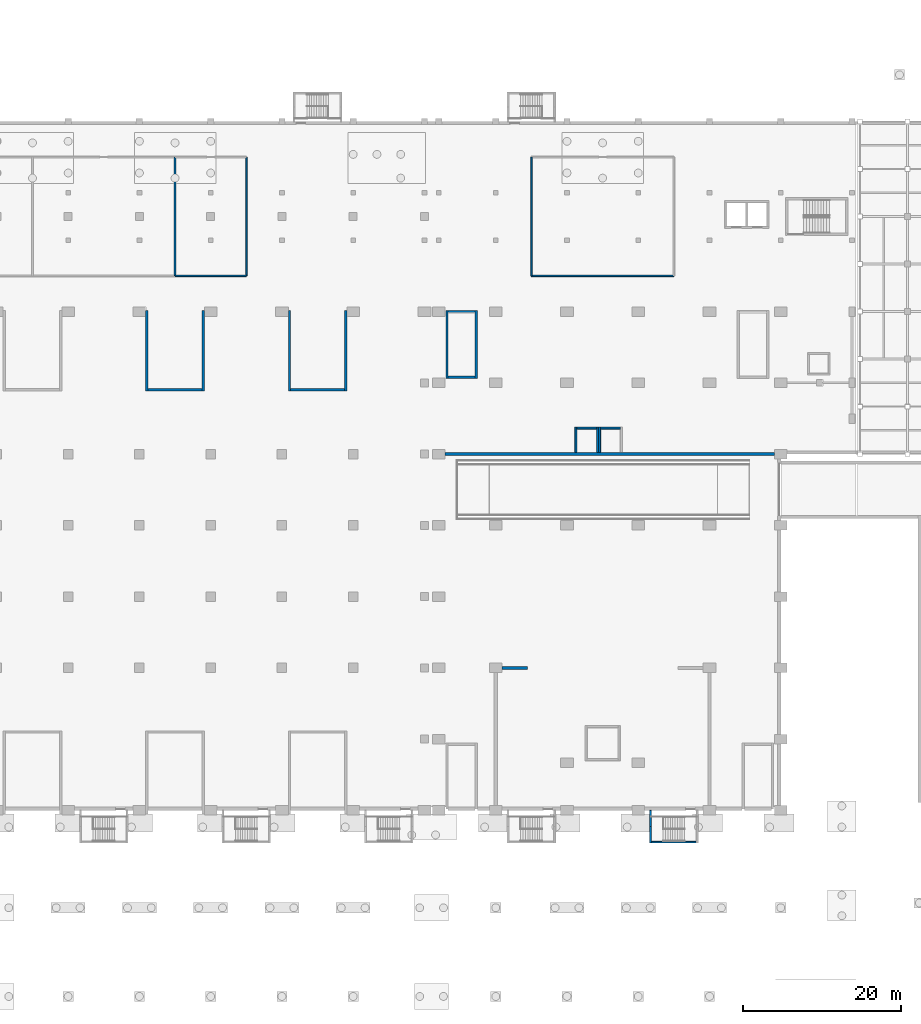
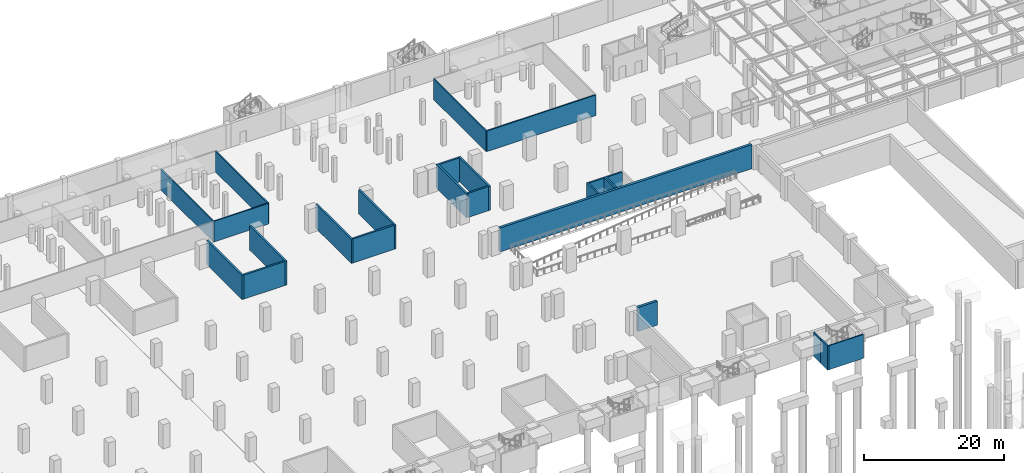
# One storey, part 14 of 27: 25 walls.
"""IFC4 building model written with IfcOpenShell, lengths in metres."""

import ifcopenshell
import ifcopenshell.guid

model = None  # the IFC model being written
_history = None  # IfcOwnerHistory: only IFC2X3 demands one
_inside = {}  # id of a spatial element -> (the spatial element, [elements in it])
_under = {}  # id of a project, library or spatial element -> (it, [spatial elements below it])
_declared = {}  # id of a project -> (the project, [libraries it declares])
_typed = {}  # id of a type object -> (the type object, [elements of that type])
_made_of = {}  # id of a material, layer set ... -> (it, [elements and type objects made of it])


def new_model(schema):
    """Start an empty IFC model of exactly this schema.

    Asked for "IFC4X3", IfcOpenShell would pick the latest addendum, in which some entities
    have other attributes; the version numbers below select the first issue.
    IFC2X3 requires an IfcOwnerHistory on every rooted entity: one is made here for all.
    """
    global model, _history
    if schema == "IFC4X3":
        model = ifcopenshell.file(schema_version=(4, 3, 0, 0))
    else:
        model = ifcopenshell.file(schema=schema)
    _inside.clear()
    _under.clear()
    _declared.clear()
    _typed.clear()
    _made_of.clear()
    _history = None
    if model.schema == "IFC2X3":
        org = make("IfcOrganization", Name="unknown")
        user = make(
            "IfcPersonAndOrganization",
            ThePerson=make("IfcPerson", FamilyName="unknown"),
            TheOrganization=org,
        )
        app = make(
            "IfcApplication",
            ApplicationDeveloper=org,
            Version="unknown",
            ApplicationFullName="unknown",
            ApplicationIdentifier="unknown",
        )
        _history = make(
            "IfcOwnerHistory",
            OwningUser=user,
            OwningApplication=app,
            ChangeAction="ADDED",
            CreationDate=0,
        )
    return model


def make(cls, **values):
    """One entity of the class cls with the attributes given. An attribute that is None is left unset."""
    return model.create_entity(
        cls, **{name: value for name, value in values.items() if value is not None}
    )


def rooted(cls, **values):
    """An entity with a GlobalId (a new one), such as an element, a storey or a relation."""
    return make(cls, GlobalId=ifcopenshell.guid.new(), OwnerHistory=_history, **values)


def si_unit(unit_type, name, prefix=None):
    """IfcSIUnit, for example si_unit("LENGTHUNIT", "METRE", prefix="MILLI")."""
    return make("IfcSIUnit", UnitType=unit_type, Prefix=prefix, Name=name)


def assignment(units):
    """IfcUnitAssignment: the units of a project."""
    return None if units is None else make("IfcUnitAssignment", Units=units)


def point(xyz):
    """IfcCartesianPoint."""
    return None if xyz is None else make("IfcCartesianPoint", Coordinates=xyz)


def direction(xyz):
    """IfcDirection."""
    return None if xyz is None else make("IfcDirection", DirectionRatios=xyz)


def frame(location, z_axis=None, x_axis=None):
    """IfcAxis2Placement3D, a coordinate frame: its origin and axes. An axis left out is left unset."""
    return make(
        "IfcAxis2Placement3D",
        Location=point(location),
        Axis=direction(z_axis),
        RefDirection=direction(x_axis),
    )


def frame_2d(location, x_axis=None):
    """IfcAxis2Placement2D, a coordinate frame in the plane: its origin and x axis."""
    return make(
        "IfcAxis2Placement2D", Location=point(location), RefDirection=direction(x_axis)
    )


def origin():
    """The frame at (0, 0, 0) with its axes left unset."""
    return frame((0.0, 0.0, 0.0))


def place(relative_to, where):
    """IfcLocalPlacement: puts the frame where relative to a parent placement (None: the world)."""
    return make(
        "IfcLocalPlacement", PlacementRelTo=relative_to, RelativePlacement=where
    )


def context(
    kind, dimensions, precision=None, world=None, true_north=None, identifier=None
):
    """IfcGeometricRepresentationContext, for example the 3D "Model" context."""
    return make(
        "IfcGeometricRepresentationContext",
        ContextIdentifier=identifier,
        ContextType=kind,
        CoordinateSpaceDimension=dimensions,
        Precision=precision,
        WorldCoordinateSystem=world,
        TrueNorth=true_north,
    )


def subcontext(parent, identifier, kind, view, scale=None):
    """IfcGeometricRepresentationSubContext, for example "Body" below "Model"."""
    return make(
        "IfcGeometricRepresentationSubContext",
        ContextIdentifier=identifier,
        ContextType=kind,
        ParentContext=parent,
        TargetScale=scale,
        TargetView=view,
    )


def project(units=None, contexts=None):
    """IfcProject with its units and contexts."""
    return rooted(
        "IfcProject",
        Name="project",
        RepresentationContexts=contexts,
        UnitsInContext=assignment(units),
    )


def spatial(cls, under=None, at=None, **own):
    """A site, building, storey or space (cls), placed at a placement, below another one or the project."""
    s = rooted(cls, ObjectPlacement=at, **own)
    if under is not None:
        _under.setdefault(under.id(), (under, []))[1].append(s)
    return s


def profile(cls, at=None, kind="AREA", **sizes):
    """A parametric profile (cls). Its sizes go by their IFC names, for example OverallWidth=200.0."""
    return make(cls, ProfileType=kind, Position=at, **sizes)


def rectangle(**sizes):
    """IfcRectangleProfileDef."""
    return profile("IfcRectangleProfileDef", **sizes)


def extrude(swept, where, along, depth):
    """IfcExtrudedAreaSolid: the profile swept, set in the frame where, extruded along a direction by depth."""
    return make(
        "IfcExtrudedAreaSolid",
        SweptArea=swept,
        Position=where,
        ExtrudedDirection=direction(along),
        Depth=depth,
    )


def shape(context_of_items, identifier, shape_type, items):
    """IfcShapeRepresentation: the items that make up one representation, for example the "Body"."""
    return make(
        "IfcShapeRepresentation",
        ContextOfItems=context_of_items,
        RepresentationIdentifier=identifier,
        RepresentationType=shape_type,
        Items=items,
    )


def material(Name=None, Category=None):
    """IfcMaterial."""
    return make("IfcMaterial", Name=Name, Category=Category)


def layer(
    of_material, thickness, ventilated=None, Name=None, Category=None, Priority=None
):
    """IfcMaterialLayer: one layer of a wall or slab, of a material (None: an air gap)."""
    return make(
        "IfcMaterialLayer",
        Material=of_material,
        LayerThickness=thickness,
        IsVentilated=ventilated,
        Name=Name,
        Category=Category,
        Priority=Priority,
    )


def layer_set(layers, Name=None):
    """IfcMaterialLayerSet."""
    return make("IfcMaterialLayerSet", MaterialLayers=layers, LayerSetName=Name)


def made_of(thing, what):
    """Note that an element or type object is made of a material, layer set ...; save() writes the relation."""
    if what is not None:
        _made_of.setdefault(what.id(), (what, []))[1].append(thing)
    return thing


def type_object(cls, material=None, **own):
    """A type object (cls), such as IfcWallType, which elements share."""
    return made_of(rooted(cls, **own), material)


def element(
    cls,
    number,
    at=None,
    inside=None,
    cuts=None,
    type_object=None,
    material=None,
    context=None,
    identifier="Body",
    shape_type=None,
    held_by="IfcProductDefinitionShape",
    body=None,
    shapes=None,
    **own,
):
    """One element of the class cls, such as IfcWall. Its Tag is "e" and its number.

    at: its placement. inside: the storey or other place that contains it. cuts: it is an
    opening in that element (IfcRelVoidsElement). A single representation is given by context,
    identifier, shape_type and body (its items); several are given by shapes. held_by: the class
    of the entity that holds the representations. save() writes the other relations.
    """
    e = rooted(cls, Tag="e%d" % number, ObjectPlacement=at, **own)
    if body is not None:
        shapes = [shape(context, identifier, shape_type, body)]
    if shapes is not None:
        e.Representation = make(held_by, Representations=shapes)
    if inside is not None:
        _inside.setdefault(inside.id(), (inside, []))[1].append(e)
    if cuts is not None:
        rooted(
            "IfcRelVoidsElement", RelatingBuildingElement=cuts, RelatedOpeningElement=e
        )
    if type_object is not None:
        _typed.setdefault(type_object.id(), (type_object, []))[1].append(e)
    return made_of(e, material)


def aggregate(whole, parts):
    """IfcRelAggregates: a whole, such as a stair, and the parts it consists of."""
    return rooted("IfcRelAggregates", RelatingObject=whole, RelatedObjects=parts)


def save(model, path):
    """Write the relations noted so far, then the file.

    IfcRelAggregates (storeys below a building ...), IfcRelContainedInSpatialStructure (elements
    in a storey), IfcRelDefinesByType, IfcRelAssociatesMaterial and IfcRelDeclares: one each for
    every whole, place, type object, material and project.
    """
    for whole, parts in _under.values():
        aggregate(whole, parts)
    for where, things in _inside.values():
        rooted(
            "IfcRelContainedInSpatialStructure",
            RelatedElements=things,
            RelatingStructure=where,
        )
    for kind, things in _typed.values():
        rooted("IfcRelDefinesByType", RelatedObjects=things, RelatingType=kind)
    for what, things in _made_of.values():
        rooted("IfcRelAssociatesMaterial", RelatedObjects=things, RelatingMaterial=what)
    for by, libraries in _declared.values():
        rooted("IfcRelDeclares", RelatingContext=by, RelatedDefinitions=libraries)
    model.write(path)


model = new_model("IFC4")

# Units and contexts
model_context = context("Model", 3, precision=1e-05, world=origin(), true_north=direction((0.0, 1.0)))
body_context = subcontext(model_context, "Body", "Model", "MODEL_VIEW")
ifc_project = project(units=[si_unit("LENGTHUNIT", "METRE"), si_unit("AREAUNIT", "SQUARE_METRE"), si_unit("VOLUMEUNIT", "CUBIC_METRE"), si_unit("PLANEANGLEUNIT", "RADIAN"), si_unit("MASSUNIT", "GRAM", prefix="KILO")], contexts=[model_context])

# Site, building, storey
site_placement = place(None, origin())
site = spatial("IfcSite", under=ifc_project, at=site_placement, CompositionType="ELEMENT")
building_placement = place(site_placement, origin())
building = spatial("IfcBuilding", under=site, at=building_placement, Name="Aravalli Gate Trade Fair Centre", CompositionType="ELEMENT")
storey_placement = place(building_placement, frame((0.0, 0.0, -4.199951171875)))
storey = spatial("IfcBuildingStorey", under=building, at=storey_placement, Name="B1", CompositionType="ELEMENT", Elevation=-4.199951171875)

# Walls
ifc_material_1 = material(Name="Concrete M30", Category="concrete")
ifc_layer_1 = layer(ifc_material_1, 0.199951171875)
ifc_layer_set_1 = layer_set([ifc_layer_1], Name="Concrete M30")
wall_type_1 = type_object("IfcWallType", Name="Basement plant room wall 200", PredefinedType="SOLIDWALL", material=ifc_layer_set_1)
wall_1_placement = place(storey_placement, frame((73.5, 113.5, 0.0), z_axis=(0.0, 0.0, 1.0), x_axis=(1.0, 0.0, 0.0)))
element("IfcWall", 1, at=wall_1_placement, inside=storey, type_object=wall_type_1, Name="Basement plant room wall B1 03.1", PredefinedType="SOLIDWALL", context=body_context, shape_type="SweptSolid", body=[
    extrude(rectangle(XDim=9.0, YDim=0.199951171875, at=frame_2d((4.5, 0.0))), origin(), (0.0, 0.0, 1.0), 3.599853515625),
])
wall_2_placement = place(storey_placement, frame((118.5, 113.5, 0.0), z_axis=(0.0, 0.0, 1.0), x_axis=(1.0, 0.0, 0.0)))
element("IfcWall", 2, at=wall_2_placement, inside=storey, type_object=wall_type_1, Name="Basement plant room wall B1 04.1", PredefinedType="SOLIDWALL", context=body_context, shape_type="SweptSolid", body=[
    extrude(rectangle(XDim=18.0, YDim=0.199951171875, at=frame_2d((9.0, 0.0))), origin(), (0.0, 0.0, 1.0), 3.599853515625),
])
for number, where, z_axis, x_axis, name in (
    (3, (73.5, 113.5, 0.0), (0.0, 0.0, 1.0), (0.0, 1.0, 0.0), "Basement plant room wall B1 11.1"),
    (4, (82.5, 113.5, 0.0), (0.0, 0.0, 1.0), (0.0, 1.0, 0.0), "Basement plant room wall B1 12.1"),
    (5, (118.5, 113.5, 0.0), (0.0, 0.0, 1.0), (0.0, 1.0, 0.0), "Basement plant room wall B1 13.1"),
):
    element("IfcWall", number, at=place(storey_placement, frame(where, z_axis=z_axis, x_axis=x_axis)), inside=storey, type_object=wall_type_1, Name=name, PredefinedType="SOLIDWALL", context=body_context, shape_type="SweptSolid", body=[
        extrude(rectangle(XDim=15.0, YDim=0.199951171875, at=frame_2d((7.5, 0.0))), origin(), (0.0, 0.0, 1.0), 3.599853515625),
    ])
ifc_material_2 = material(Name="Concrete M35", Category="concrete")
ifc_layer_2 = layer(ifc_material_2, 0.199951171875)
ifc_layer_set_2 = layer_set([ifc_layer_2], Name="Concrete M35")
wall_type_2 = type_object("IfcWallType", Name="Basement stair enclosure wall 200", PredefinedType="SOLIDWALL", material=ifc_layer_set_2)
for number, where, z_axis, x_axis, name in (
    (6, (133.550048828125, 46.0, 0.0), (0.0, 0.0, 1.0), (0.0, -1.0, 0.0), "Basement stair S7 enclosure wall L1 B1"),
    (7, (133.550048828125, 43.949951171875, 0.0), (0.0, 0.0, 1.0), (0.0, -1.0, 0.0), "Basement stair S7 enclosure wall L2 B1"),
):
    element("IfcWall", number, at=place(storey_placement, frame(where, z_axis=z_axis, x_axis=x_axis)), inside=storey, type_object=wall_type_2, Name=name, PredefinedType="SOLIDWALL", context=body_context, shape_type="SweptSolid", body=[
        extrude(rectangle(XDim=2.050048828125, YDim=0.199951171875, at=frame_2d((1.02490234375, 0.0))), origin(), (0.0, 0.0, 1.0), 4.199951171875),
    ])
wall_3_placement = place(storey_placement, frame((133.64990234375, 42.0, 0.0), z_axis=(0.0, 0.0, 1.0), x_axis=(1.0, 0.0, 0.0)))
element("IfcWall", 8, at=wall_3_placement, inside=storey, type_object=wall_type_2, Name="Basement stair S7 enclosure wall O B1", PredefinedType="SOLIDWALL", context=body_context, shape_type="SweptSolid", body=[
    extrude(rectangle(XDim=5.7001953125, YDim=0.199951171875, at=frame_2d((2.85009765625, 0.0))), origin(), (0.0, 0.0, 1.0), 4.199951171875),
])
ifc_material_3 = material(Name="Concrete M40", Category="concrete")
ifc_layer_3 = layer(ifc_material_3, 0.25)
ifc_layer_set_3 = layer_set([ifc_layer_3], Name="Concrete M40")
wall_type_3 = type_object("IfcWallType", Name="Congress RC wall 250 shaft", PredefinedType="SHEAR", material=ifc_layer_set_3)
for number, where, z_axis, x_axis, name in (
    (9, (124.125, 91.199951171875, 0.0), (0.0, 0.0, 1.0), (0.0, 1.0, 0.0), "Lift GL1 shaft wall W B1"),
    (10, (126.875, 91.199951171875, 0.0), (0.0, 0.0, 1.0), (0.0, 1.0, 0.0), "Lift GL1 shaft wall E B1"),
):
    element("IfcWall", number, at=place(storey_placement, frame(where, z_axis=z_axis, x_axis=x_axis)), inside=storey, type_object=wall_type_3, Name=name, PredefinedType="SHEAR", context=body_context, shape_type="SweptSolid", body=[
        extrude(rectangle(XDim=3.199951171875, YDim=0.25, at=frame_2d((1.60009765625, 0.0))), origin(), (0.0, 0.0, 1.0), 4.199951171875),
    ])
wall_4_placement = place(storey_placement, frame((124.25, 94.27490234375, 0.0), z_axis=(0.0, 0.0, 1.0), x_axis=(1.0, 0.0, 0.0)))
element("IfcWall", 11, at=wall_4_placement, inside=storey, type_object=wall_type_3, Name="Lift GL1 shaft wall F B1", PredefinedType="SHEAR", context=body_context, shape_type="SweptSolid", body=[
    extrude(rectangle(XDim=2.5, YDim=0.25, at=frame_2d((1.25, 0.0))), origin(), (0.0, 0.0, 1.0), 4.199951171875),
])
wall_5_placement = place(storey_placement, frame((127.125, 91.199951171875, 0.0), z_axis=(0.0, 0.0, 1.0), x_axis=(0.0, 1.0, 0.0)))
element("IfcWall", 12, at=wall_5_placement, inside=storey, type_object=wall_type_3, Name="Lift GL2 shaft wall W B1", PredefinedType="SHEAR", context=body_context, shape_type="SweptSolid", body=[
    extrude(rectangle(XDim=3.199951171875, YDim=0.25, at=frame_2d((1.60009765625, 0.0))), origin(), (0.0, 0.0, 1.0), 4.199951171875),
])
wall_6_placement = place(storey_placement, frame((127.25, 94.27490234375, 0.0), z_axis=(0.0, 0.0, 1.0), x_axis=(1.0, 0.0, 0.0)))
element("IfcWall", 13, at=wall_6_placement, inside=storey, type_object=wall_type_3, Name="Lift GL2 shaft wall F B1", PredefinedType="SHEAR", context=body_context, shape_type="SweptSolid", body=[
    extrude(rectangle(XDim=2.5, YDim=0.25, at=frame_2d((1.25, 0.0))), origin(), (0.0, 0.0, 1.0), 4.199951171875),
])
ifc_layer_4 = layer(ifc_material_3, 0.300048828125)
ifc_layer_set_4 = layer_set([ifc_layer_4], Name="Concrete M40")
wall_type_4 = type_object("IfcWallType", Name="Congress RC wall 300", PredefinedType="SHEAR", material=ifc_layer_set_4)
for number, where, z_axis, x_axis, name in (
    (14, (107.85009765625, 100.550048828125, 0.0), (0.0, 0.0, 1.0), (0.0, 1.0, 0.0), "Foyer Stair West wall W B1"),
    (15, (111.550048828125, 100.550048828125, 0.0), (0.0, 0.0, 1.0), (0.0, 1.0, 0.0), "Foyer Stair West wall E B1"),
):
    element("IfcWall", number, at=place(storey_placement, frame(where, z_axis=z_axis, x_axis=x_axis)), inside=storey, type_object=wall_type_4, Name=name, PredefinedType="SHEAR", context=body_context, shape_type="SweptSolid", body=[
        extrude(rectangle(XDim=8.599853515625, YDim=0.300048828125, at=frame_2d((4.2998046875, 0.0))), origin(), (0.0, 0.0, 1.0), 4.199951171875),
    ])
for number, where, z_axis, x_axis, name in (
    (16, (108.0, 100.699951171875, 0.0), (0.0, 0.0, 1.0), (1.0, 0.0, 0.0), "Foyer Stair West wall S B1"),
    (17, (108.0, 109.0, 0.0), (0.0, 0.0, 1.0), (1.0, 0.0, 0.0), "Foyer Stair West wall N B1"),
):
    element("IfcWall", number, at=place(storey_placement, frame(where, z_axis=z_axis, x_axis=x_axis)), inside=storey, type_object=wall_type_4, Name=name, PredefinedType="SHEAR", context=body_context, shape_type="SweptSolid", body=[
        extrude(rectangle(XDim=3.39990234375, YDim=0.300048828125, at=frame_2d((1.699951171875, 0.0))), origin(), (0.0, 0.0, 1.0), 4.199951171875),
    ])
ifc_layer_5 = layer(ifc_material_3, 0.39990234375)
ifc_layer_set_5 = layer_set([ifc_layer_5], Name="Concrete M40")
wall_type_5 = type_object("IfcWallType", Name="Congress RC wall 400", PredefinedType="SHEAR", material=ifc_layer_set_5)
wall_7_placement = place(storey_placement, frame((107.60009765625, 91.0, 0.0), z_axis=(0.0, 0.0, 1.0), x_axis=(1.0, 0.0, 0.0)))
element("IfcWall", 18, at=wall_7_placement, inside=storey, type_object=wall_type_5, Name="Auditorium rear wall B1", PredefinedType="SHEAR", context=body_context, shape_type="SweptSolid", body=[
    extrude(rectangle(XDim=41.599853515625, YDim=0.39990234375, at=frame_2d((20.7998046875, 0.0))), origin(), (0.0, 0.0, 1.0), 4.199951171875),
])
wall_8_placement = place(storey_placement, frame((114.800048828125, 64.0, 0.0), z_axis=(0.0, 0.0, 1.0), x_axis=(1.0, 0.0, 0.0)))
element("IfcWall", 19, at=wall_8_placement, inside=storey, type_object=wall_type_5, Name="Proscenium wall W B1", PredefinedType="SHEAR", context=body_context, shape_type="SweptSolid", body=[
    extrude(rectangle(XDim=3.199951171875, YDim=0.39990234375, at=frame_2d((1.60009765625, 0.0))), origin(), (0.0, 0.0, 1.0), 4.199951171875),
])
ifc_layer_6 = layer(ifc_material_3, 0.300048828125)
ifc_layer_set_6 = layer_set([ifc_layer_6], Name="Concrete M40")
wall_type_6 = type_object("IfcWallType", Name="Stair tower wall RC 300", PredefinedType="SHEAR", material=ifc_layer_set_6)
for number, where, z_axis, x_axis, name in (
    (20, (69.949951171875, 109.14990234375, 0.0), (0.0, 0.0, 1.0), (0.0, -1.0, 0.0), "Stair tower N08 wall W B1"),
    (21, (77.050048828125, 109.14990234375, 0.0), (0.0, 0.0, 1.0), (0.0, -1.0, 0.0), "Stair tower N08 wall E B1"),
):
    element("IfcWall", number, at=place(storey_placement, frame(where, z_axis=z_axis, x_axis=x_axis)), inside=storey, type_object=wall_type_6, Name=name, PredefinedType="SHEAR", context=body_context, shape_type="SweptSolid", body=[
        extrude(rectangle(XDim=10.199951171875, YDim=0.300048828125, at=frame_2d((5.10009765625, 0.0))), origin(), (0.0, 0.0, 1.0), 4.199951171875),
    ])
wall_9_placement = place(storey_placement, frame((70.10009765625, 99.10009765625, 0.0), z_axis=(0.0, 0.0, 1.0), x_axis=(1.0, 0.0, 0.0)))
element("IfcWall", 22, at=wall_9_placement, inside=storey, type_object=wall_type_6, Name="Stair tower N08 wall F B1", PredefinedType="SHEAR", context=body_context, shape_type="SweptSolid", body=[
    extrude(rectangle(XDim=6.7998046875, YDim=0.300048828125, at=frame_2d((3.39990234375, 0.0))), origin(), (0.0, 0.0, 1.0), 4.199951171875),
])
for number, where, z_axis, x_axis, name in (
    (23, (87.949951171875, 109.14990234375, 0.0), (0.0, 0.0, 1.0), (0.0, -1.0, 0.0), "Stair tower N10 wall W B1"),
    (24, (95.050048828125, 109.14990234375, 0.0), (0.0, 0.0, 1.0), (0.0, -1.0, 0.0), "Stair tower N10 wall E B1"),
):
    element("IfcWall", number, at=place(storey_placement, frame(where, z_axis=z_axis, x_axis=x_axis)), inside=storey, type_object=wall_type_6, Name=name, PredefinedType="SHEAR", context=body_context, shape_type="SweptSolid", body=[
        extrude(rectangle(XDim=10.199951171875, YDim=0.300048828125, at=frame_2d((5.10009765625, 0.0))), origin(), (0.0, 0.0, 1.0), 4.199951171875),
    ])
wall_10_placement = place(storey_placement, frame((88.10009765625, 99.10009765625, 0.0), z_axis=(0.0, 0.0, 1.0), x_axis=(1.0, 0.0, 0.0)))
element("IfcWall", 25, at=wall_10_placement, inside=storey, type_object=wall_type_6, Name="Stair tower N10 wall F B1", PredefinedType="SHEAR", context=body_context, shape_type="SweptSolid", body=[
    extrude(rectangle(XDim=6.7998046875, YDim=0.300048828125, at=frame_2d((3.39990234375, 0.0))), origin(), (0.0, 0.0, 1.0), 4.199951171875),
])

save(model, "model.ifc")
